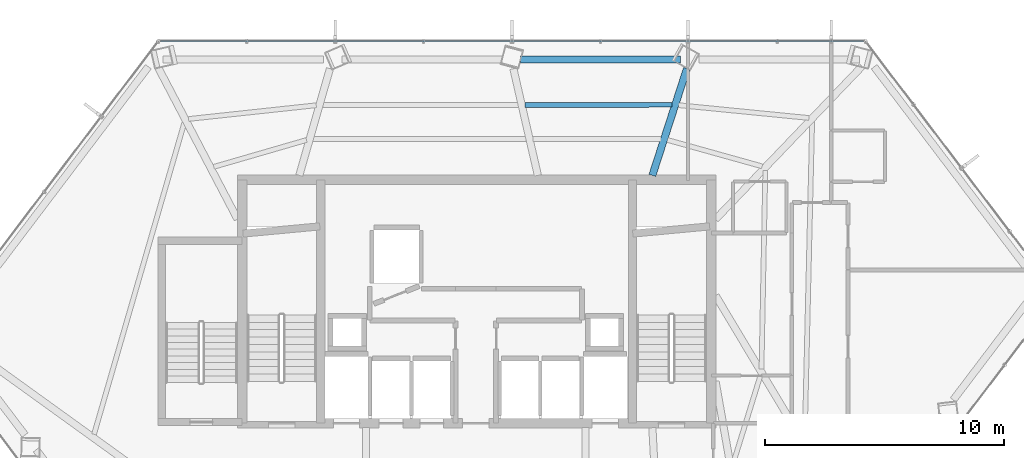
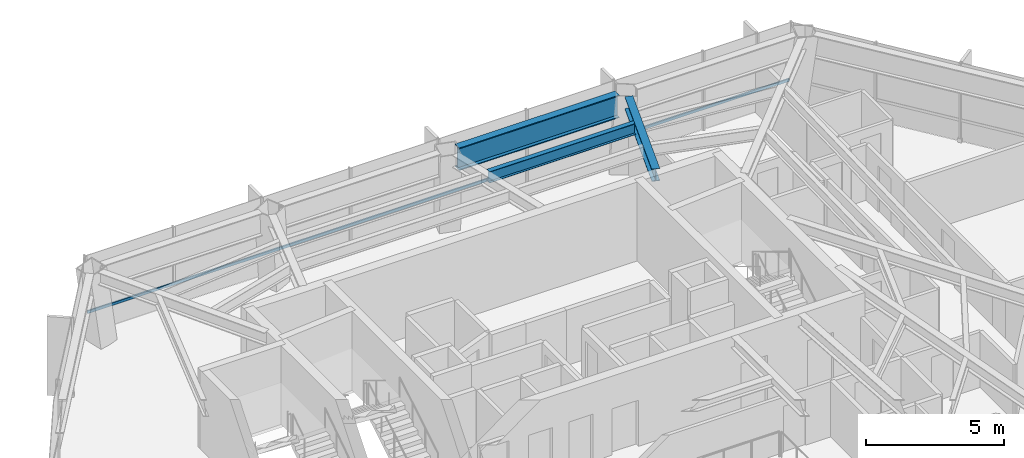
# One storey, part 16 of 30: 3 beams, 1 member, 1 element without a shape of its own.
"""IFC4 building model written with IfcOpenShell, lengths in metres."""

from ifc_helpers import new_model, si_unit, direction, frame, origin, origin_2d, place, context, subcontext, project, spatial, hollow_rectangle, i_section, extrude, material, layer, layer_set, material_profile, profile_set, type_object, element, aggregate, save


model = new_model("IFC4")

# Units and contexts
model_context = context("Model", 3, precision=1e-05, world=origin(), true_north=direction((0.0, 1.0)))
body_context = subcontext(model_context, "Body", "Model", "MODEL_VIEW")
ifc_project = project(units=[si_unit("LENGTHUNIT", "METRE"), si_unit("AREAUNIT", "SQUARE_METRE"), si_unit("VOLUMEUNIT", "CUBIC_METRE"), si_unit("PLANEANGLEUNIT", "RADIAN"), si_unit("MASSUNIT", "GRAM", prefix="KILO")], contexts=[model_context])

# Site, building, storey
site_placement = place(None, origin())
site = spatial("IfcSite", under=ifc_project, at=site_placement, CompositionType="ELEMENT")
building_placement = place(site_placement, origin())
building = spatial("IfcBuilding", under=site, at=building_placement, Name="Zarrinselat Tower", CompositionType="ELEMENT")
storey_placement = place(building_placement, frame((0.0, 0.0, 130.89990234375)))
storey = spatial("IfcBuildingStorey", under=building, at=storey_placement, Name="L31", CompositionType="ELEMENT", Elevation=130.89990234375)

# Beams
ifc_material_1 = material(Name="Steel S355J2", Category="steel")
ifc_material_profile_1 = material_profile(ifc_material_1, i_section(OverallWidth=0.300048828125, OverallDepth=0.550048828125, WebThickness=0.014892578125, FlangeThickness=0.029052734375, at=origin_2d()), Name="HEB 550")
ifc_profile_set_1 = profile_set([ifc_material_profile_1], Name="Steel S355J2")
beam_type_1 = type_object("IfcBeamType", Name="BM-HEB550", PredefinedType="BEAM", material=ifc_profile_set_1)
beam_1_placement = place(storey_placement, frame((45.800048828125, 43.639892578125, 3.22509765625), z_axis=(0.308249736475, 0.951305471425, 0.0), x_axis=(-0.951305471425, 0.308249736475, 0.0)))
element("IfcBeam", 1, at=beam_1_placement, inside=storey, type_object=beam_type_1, Name="L31 Radial Primary Girder RG02", PredefinedType="BEAM", context=body_context, shape_type="SweptSolid", body=[
    extrude(i_section(OverallWidth=0.300048828125, OverallDepth=0.550048828125, WebThickness=0.014892578125, FlangeThickness=0.029052734375, at=origin_2d()), origin(), (0.0, 0.0, 1.0), 4.70703125),
])
ifc_material_2 = material(Name="Steel S460M", Category="steel")
ifc_material_profile_2 = material_profile(ifc_material_2, i_section(OverallWidth=0.302001953125, OverallDepth=1.008056640625, WebThickness=0.02099609375, FlangeThickness=0.0400390625, at=origin_2d()), Name="HEM 1000")
ifc_profile_set_2 = profile_set([ifc_material_profile_2], Name="Steel S460M")
beam_type_2 = type_object("IfcBeamType", Name="BM-HEM1000", PredefinedType="BEAM", material=ifc_profile_set_2)
beam_2_placement = place(storey_placement, frame((40.272705078125, 48.5, 2.99609375), z_axis=(1.0, 0.0, 0.0), x_axis=(0.0, 1.0, 0.0)))
element("IfcBeam", 2, at=beam_2_placement, inside=storey, type_object=beam_type_2, Name="L31 Perimeter Spandrel Girder SP02", PredefinedType="BEAM", context=body_context, shape_type="SweptSolid", body=[
    extrude(i_section(OverallWidth=0.302001953125, OverallDepth=1.008056640625, WebThickness=0.02099609375, FlangeThickness=0.0400390625, at=origin_2d()), origin(), (0.0, 0.0, 1.0), 6.714111328125),
])
ifc_material_3 = material(Name="Steel S355J2", Category="steel")
ifc_material_profile_3 = material_profile(ifc_material_3, i_section(OverallWidth=0.199951171875, OverallDepth=0.5, WebThickness=0.01025390625, FlangeThickness=0.01611328125, at=origin_2d()), Name="IPE 500")
ifc_profile_set_3 = profile_set([ifc_material_profile_3], Name="Steel S355J2")
beam_type_3 = type_object("IfcBeamType", Name="BM-IPE500", PredefinedType="JOIST", material=ifc_profile_set_3)
beam_3_placement = place(storey_placement, frame((40.463134765625, 46.589111328125, 3.25), z_axis=(0.999999508257, 0.000991708823, 0.0), x_axis=(-0.000991708823, 0.999999508257, 0.0)))
element("IfcBeam", 3, at=beam_3_placement, inside=storey, type_object=beam_type_3, Name="L31 Composite Floor Joist 7-1", PredefinedType="JOIST", context=body_context, shape_type="SweptSolid", body=[
    extrude(i_section(OverallWidth=0.199951171875, OverallDepth=0.5, WebThickness=0.01025390625, FlangeThickness=0.01611328125, at=origin_2d()), origin(), (0.0, 0.0, 1.0), 6.154541015625),
])

# Curtain wall, member
ifc_material_4 = material(Name="Extruded Aluminium Alloy EN AW-6063 T6", Category="aluminium")
ifc_layer = layer(ifc_material_4, 0.175048828125)
ifc_layer_set = layer_set([ifc_layer], Name="Extruded Aluminium Alloy EN AW-6063 T6")
curtain_wall_type = type_object("IfcCurtainWallType", Name="CWS-HTL", PredefinedType="NOTDEFINED", material=ifc_layer_set)
curtain_wall_placement = place(storey_placement, origin())
curtain_wall = element("IfcCurtainWall", 4, at=curtain_wall_placement, inside=storey, type_object=curtain_wall_type, Name="L31 Unitised Curtain Wall CW-L31-E01", PredefinedType="NOTDEFINED")
ifc_material_5 = material(Name="Extruded Aluminium Alloy EN AW-6063 T6", Category="aluminium")
ifc_material_profile_4 = material_profile(ifc_material_5, hollow_rectangle(XDim=0.06005859375, YDim=0.1201171875, WallThickness=0.00390625, at=origin_2d()), Name="RHS 120x60x4")
ifc_profile_set_4 = profile_set([ifc_material_profile_4], Name="Extruded Aluminium Alloy EN AW-6063 T6")
member_type = type_object("IfcMemberType", Name="MEM-CW-TRN2", PredefinedType="USERDEFINED", material=ifc_profile_set_4)
member_placement = place(storey_placement, frame((54.647705078125, 49.2666015625, 0.9501953125), z_axis=(-1.0, 0.0, 0.0), x_axis=(0.0, -1.0, 0.0)))
member = element("IfcMember", 5, at=member_placement, type_object=member_type, Name="CW-L31-E01 Transom 1", ObjectType="TRANSOM", PredefinedType="USERDEFINED", context=body_context, shape_type="SweptSolid", body=[
    extrude(hollow_rectangle(XDim=0.06005859375, YDim=0.1201171875, WallThickness=0.00390625, at=origin_2d()), origin(), (0.0, 0.0, 1.0), 29.464111328125),
])
aggregate(curtain_wall, [member])

save(model, "model.ifc")
